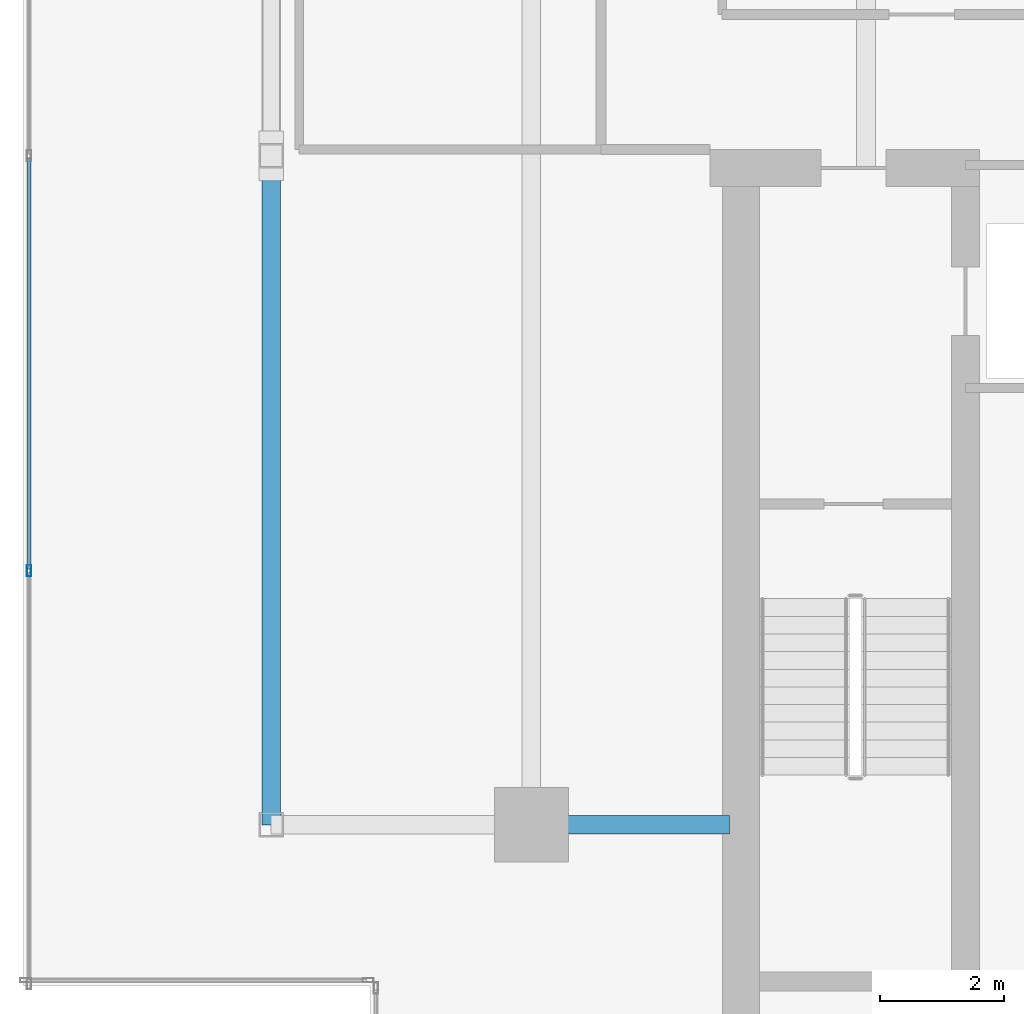
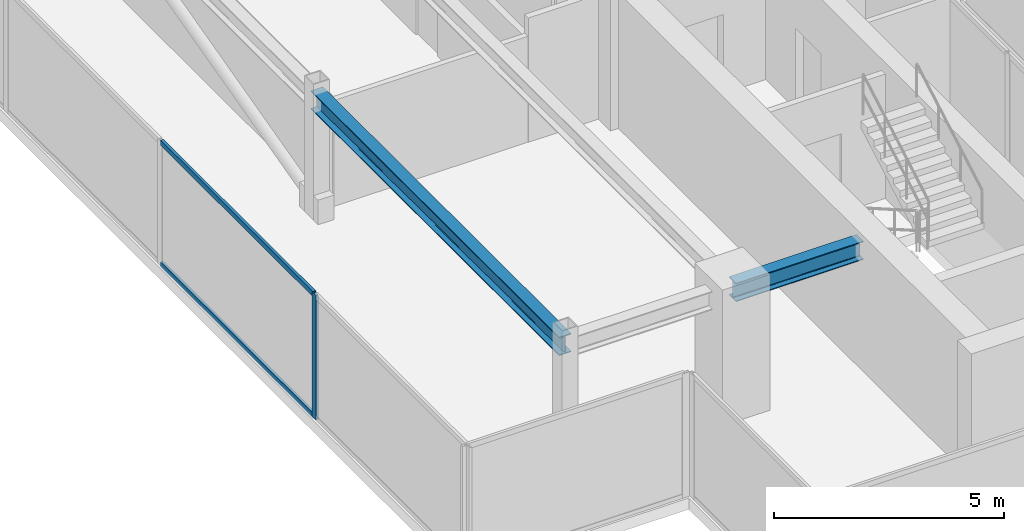
# One storey, part 4 of 16: 3 members, 2 beams, 1 element without a shape of its own.
"""IFC4 building model written with IfcOpenShell, lengths in metres."""

from ifc_helpers import new_model, si_unit, direction, frame, origin, origin_2d, place, context, subcontext, project, spatial, hollow_rectangle, i_section, extrude, source, transform, mapped, material, material_profile, profile_set, type_object, type_shapes, element, aggregate, save


model = new_model("IFC4")

# Units and contexts
model_context = context("Model", 3, precision=1e-05, world=origin(), true_north=direction((0.0, 1.0)))
body_context = subcontext(model_context, "Body", "Model", "MODEL_VIEW")
ifc_project = project(units=[si_unit("LENGTHUNIT", "METRE"), si_unit("AREAUNIT", "SQUARE_METRE"), si_unit("VOLUMEUNIT", "CUBIC_METRE"), si_unit("PLANEANGLEUNIT", "RADIAN"), si_unit("MASSUNIT", "GRAM", prefix="KILO")], contexts=[model_context])

# Site, building, storey
site_placement = place(None, origin())
site = spatial("IfcSite", under=ifc_project, at=site_placement, CompositionType="ELEMENT")
building_placement = place(site_placement, origin())
building = spatial("IfcBuilding", under=site, at=building_placement, Name="Krantzveldt Concourse Tower", CompositionType="ELEMENT")
storey_placement = place(building_placement, frame((0.0, 0.0, 381.85009765625)))
storey = spatial("IfcBuildingStorey", under=building, at=storey_placement, Name="L94", CompositionType="ELEMENT", Elevation=381.85009765625)

# Beams
ifc_material_1 = material(Name="Steel S355JR", Category="steel")
ifc_material_profile_1 = material_profile(ifc_material_1, i_section(OverallWidth=0.300048828125, OverallDepth=0.489990234375, WebThickness=0.011962890625, FlangeThickness=0.02294921875, FilletRadius=0.027099609375, at=origin_2d()), Name="Steel S355JR", Category="steel")
ifc_profile_set_1 = profile_set([ifc_material_profile_1], Name="Steel S355JR - HEA 500")
beam_type = type_object("IfcBeamType", Name="BM-B-HEA500", PredefinedType="BEAM", material=ifc_profile_set_1)
shared_shape_1 = source(origin(), body_context, "Body", "SweptSolid", [
    extrude(i_section(OverallWidth=0.300048828125, OverallDepth=0.489990234375, WebThickness=0.011962890625, FlangeThickness=0.02294921875, FilletRadius=0.027099609375, at=origin_2d()), origin(), (0.0, 0.0, 1.0), 10.800048828125),
])
beam_1_placement = place(storey_placement, frame((21.0, 15.89990234375, 3.054931640625), z_axis=(0.0, 1.0, 0.0), x_axis=(-1.0, 0.0, 0.0)))
element("IfcBeam", 1, at=beam_1_placement, inside=storey, type_object=beam_type, Name="L94 Crown Girder WEST-1", PredefinedType="BEAM", context=body_context, shape_type="MappedRepresentation", body=[
    mapped(shared_shape_1, transform((0.0, 0.0, 0.0), x_axis=(1.0, 0.0, 0.0), y_axis=(0.0, 1.0, 0.0), z_axis=(0.0, 0.0, 1.0), scale=1.0)),
])
shared_shape_2 = source(origin(), body_context, "Body", "SweptSolid", [
    extrude(i_section(OverallWidth=0.300048828125, OverallDepth=0.489990234375, WebThickness=0.011962890625, FlangeThickness=0.02294921875, FilletRadius=0.027099609375, at=origin_2d()), origin(), (0.0, 0.0, 1.0), 3.199951171875),
])
type_shapes(beam_type, [shared_shape_1, shared_shape_2])
beam_2_placement = place(storey_placement, frame((25.199951171875, 15.89990234375, 3.054931640625), z_axis=(1.0, 0.0, 0.0), x_axis=(0.0, 1.0, 0.0)))
element("IfcBeam", 2, at=beam_2_placement, inside=storey, type_object=beam_type, Name="L94 Crown Girder WEST-7", PredefinedType="BEAM", context=body_context, shape_type="MappedRepresentation", body=[
    mapped(shared_shape_2, transform((0.0, 0.0, 0.0), x_axis=(1.0, 0.0, 0.0), y_axis=(0.0, 1.0, 0.0), z_axis=(0.0, 0.0, 1.0), scale=1.0)),
])

# Curtain wall, members
ifc_material_2 = material(Name="Anodised aluminium 6063-T6", Category="aluminium")
curtain_wall_type = type_object("IfcCurtainWallType", Name="CW7", PredefinedType="USERDEFINED", material=ifc_material_2)
curtain_wall_placement = place(storey_placement, origin())
curtain_wall = element("IfcCurtainWall", 3, at=curtain_wall_placement, inside=storey, type_object=curtain_wall_type, Name="CW-L94-WEST-05", ObjectType="UNITISED CURTAIN WALL", PredefinedType="USERDEFINED")
ifc_material_profile_2 = material_profile(ifc_material_2, hollow_rectangle(XDim=0.070068359375, YDim=0.139892578125, WallThickness=0.0048828125, at=origin_2d()), Name="Anodised aluminium 6063-T6", Category="aluminium")
ifc_profile_set_2 = profile_set([ifc_material_profile_2], Name="Anodised aluminium 6063-T6 - ALU-TRAN 140x70x5")
member_type_1 = type_object("IfcMemberType", Name="CW-TRN-150", PredefinedType="USERDEFINED", material=ifc_profile_set_2)
shared_shape_3 = source(origin(), body_context, "Body", "SweptSolid", [
    extrude(hollow_rectangle(XDim=0.070068359375, YDim=0.139892578125, WallThickness=0.0048828125, at=origin_2d()), origin(), (0.0, 0.0, 1.0), 6.630126953125),
])
type_shapes(member_type_1, [shared_shape_3])
member_1_placement = place(storey_placement, frame((17.090087890625, 26.6650390625, 0.034912109375), z_axis=(0.0, -1.0, 0.0), x_axis=(1.0, 0.0, 0.0)))
member_1 = element("IfcMember", 4, at=member_1_placement, type_object=member_type_1, Name="CW-CRN transom 3.1", ObjectType="TRANSOM", PredefinedType="USERDEFINED", context=body_context, shape_type="MappedRepresentation", body=[
    mapped(shared_shape_3, transform((0.0, 0.0, 0.0), x_axis=(1.0, 0.0, 0.0), y_axis=(0.0, 1.0, 0.0), z_axis=(0.0, 0.0, 1.0), scale=1.0)),
])
member_2_placement = place(storey_placement, frame((17.090087890625, 26.6650390625, 3.264892578125), z_axis=(0.0, -1.0, 0.0), x_axis=(1.0, 0.0, 0.0)))
member_2 = element("IfcMember", 5, at=member_2_placement, type_object=member_type_1, Name="CW-CRN transom 3.2", ObjectType="TRANSOM", PredefinedType="USERDEFINED", context=body_context, shape_type="MappedRepresentation", body=[
    mapped(shared_shape_3, transform((0.0, 0.0, 0.0), x_axis=(1.0, 0.0, 0.0), y_axis=(0.0, 1.0, 0.0), z_axis=(0.0, 0.0, 1.0), scale=1.0)),
])
ifc_material_profile_3 = material_profile(ifc_material_2, hollow_rectangle(XDim=0.070068359375, YDim=0.179931640625, WallThickness=0.0048828125, at=origin_2d()), Name="Anodised aluminium 6063-T6", Category="aluminium")
ifc_profile_set_3 = profile_set([ifc_material_profile_3], Name="Anodised aluminium 6063-T6 - ALU-MULL 180x70x5")
member_type_2 = type_object("IfcMemberType", Name="CW-MUL-180", PredefinedType="MULLION", material=ifc_profile_set_3)
shared_shape_4 = source(origin(), body_context, "Body", "SweptSolid", [
    extrude(hollow_rectangle(XDim=0.070068359375, YDim=0.179931640625, WallThickness=0.0048828125, at=origin_2d()), origin(), (0.0, 0.0, 1.0), 3.2998046875),
])
type_shapes(member_type_2, [shared_shape_4])
member_3_placement = place(storey_placement, frame((17.090087890625, 20.0, 0.0), z_axis=(0.0, 0.0, 1.0), x_axis=(1.0, 0.0, 0.0)))
member_3 = element("IfcMember", 6, at=member_3_placement, type_object=member_type_2, Name="CW-CRN mullion 4", PredefinedType="MULLION", context=body_context, shape_type="MappedRepresentation", body=[
    mapped(shared_shape_4, transform((0.0, 0.0, 0.0), x_axis=(1.0, 0.0, 0.0), y_axis=(0.0, 1.0, 0.0), z_axis=(0.0, 0.0, 1.0), scale=1.0)),
])
aggregate(curtain_wall, [member_3, member_1, member_2])

save(model, "model.ifc")
